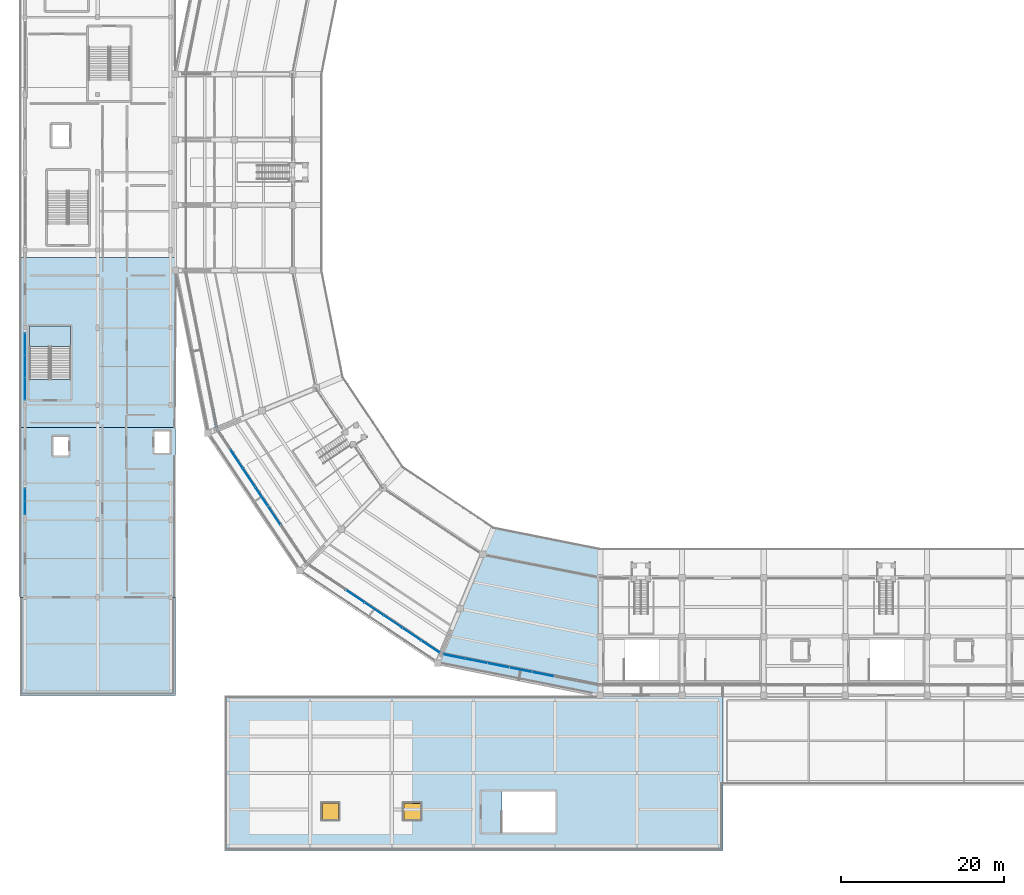
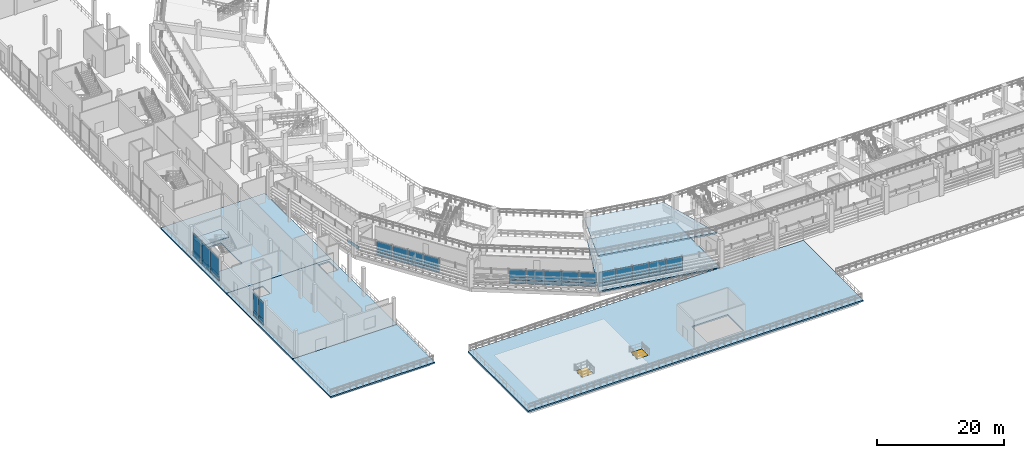
# One storey, part 48 of 96: 39 plates, 7 slabs, 2 windows, 2 openings, 7 elements without a shape of their own.
"""IFC4 building model written with IfcOpenShell, lengths in metres."""

from ifc_helpers import new_model, si_unit, direction, frame, origin, origin_2d, place, context, subcontext, project, spatial, polyline, rectangle, outline, extrude, material, layer, layer_set, type_object, element, fill, aggregate, save


model = new_model("IFC4")

# Units and contexts
model_context = context("Model", 3, precision=1e-05, world=origin(), true_north=direction((0.0, 1.0)))
body_context = subcontext(model_context, "Body", "Model", "MODEL_VIEW")
ifc_project = project(units=[si_unit("LENGTHUNIT", "METRE"), si_unit("AREAUNIT", "SQUARE_METRE"), si_unit("VOLUMEUNIT", "CUBIC_METRE"), si_unit("PLANEANGLEUNIT", "RADIAN"), si_unit("MASSUNIT", "GRAM", prefix="KILO")], contexts=[model_context])

# Site, building, storey
site_placement = place(None, origin())
site = spatial("IfcSite", under=ifc_project, at=site_placement, CompositionType="ELEMENT")
building_placement = place(site_placement, origin())
building = spatial("IfcBuilding", under=site, at=building_placement, Name="Candeia Ridge Stadium", CompositionType="ELEMENT")
storey_placement = place(building_placement, frame((0.0, 0.0, 21.60009765625)))
storey = spatial("IfcBuildingStorey", under=building, at=storey_placement, Name="L04", CompositionType="ELEMENT", Elevation=21.60009765625)

# Slab
ifc_material_1 = material(Name="Concrete C40/50", Category="concrete")
ifc_layer_1 = layer(ifc_material_1, 0.260009765625, Name="Concrete C40/50", Category="concrete")
ifc_layer_set_1 = layer_set([ifc_layer_1], Name="Concrete C40/50")
slab_type_1 = type_object("IfcSlabType", Name="Concourse Structural Slab 260", PredefinedType="FLOOR", material=ifc_layer_set_1)
slab_1_placement = place(storey_placement, frame((0.0, 0.0, -0.260009765625)))
element("IfcSlab", 1, at=slab_1_placement, inside=storey, type_object=slab_type_1, Name="Bowl concourse sector slab L04 bay 18 SLB-L04-0162", PredefinedType="FLOOR", context=body_context, shape_type="SweptSolid", body=[
    extrude(outline(polyline([(70.960693359375, 33.40771484375), (70.960693359375, 19.0078125), (51.1005859375, 22.958251953125), (56.611083984375, 36.26220703125), (70.960693359375, 33.40771484375)])), origin(), (0.0, 0.0, 1.0), 0.260009765625),
])

# Stair, slab
stair_type = type_object("IfcStairType", Name="Enclosed Core Half-Turn Stair 2450", PredefinedType="HALF_TURN_STAIR", material=ifc_material_1)
stair_placement = place(storey_placement, origin())
stair = element("IfcStair", 2, at=stair_placement, inside=storey, type_object=stair_type, Name="L04 Enclosed exit stair ST05", PredefinedType="HALF_TURN_STAIR")
ifc_layer_2 = layer(ifc_material_1, 0.199951171875, Name="Concrete C40/50", Category="concrete")
ifc_layer_set_2 = layer_set([ifc_layer_2], Name="Concrete C40/50")
slab_type_2 = type_object("IfcSlabType", Name="Core Stair Landing Slab 200", PredefinedType="LANDING", material=ifc_layer_set_2)
slab_2_placement = place(storey_placement, frame((0.0, 0.0, 2.5)))
slab_2 = element("IfcSlab", 3, at=slab_2_placement, type_object=slab_type_2, Name="ST05 landing 1", PredefinedType="LANDING", context=body_context, shape_type="SweptSolid", body=[
    extrude(outline(polyline([(6.199951171875, 61.7099609375), (6.199951171875, 64.199951171875), (1.14990234375, 64.199951171875), (1.14990234375, 61.7099609375), (6.199951171875, 61.7099609375)])), origin(), (0.0, 0.0, 1.0), 0.199951171875),
])
aggregate(stair, [slab_2])

# Slabs
ifc_layer_3 = layer(ifc_material_1, 0.25, Name="Concrete C40/50", Category="concrete")
ifc_layer_set_3 = layer_set([ifc_layer_3], Name="Concrete C40/50")
slab_type_3 = type_object("IfcSlabType", Name="Hospitality & Museum Slab 250", PredefinedType="FLOOR", material=ifc_layer_set_3)
slab_3_placement = place(storey_placement, frame((0.0, 0.0, -0.25)))
element("IfcSlab", 4, at=slab_3_placement, inside=storey, type_object=slab_type_3, Name="Wing floor slab west SLB-L04-0298", PredefinedType="FLOOR", context=body_context, shape_type="SweptSolid", body=[
    extrude(outline(polyline([(0.0, 31.0), (0.0, 51.800048828125), (19.0, 51.800048828125), (19.0, 31.0), (0.0, 31.0)]), holes=[polyline([(5.949951171875, 50.64990234375), (4.050048828125, 50.64990234375), (4.050048828125, 48.35009765625), (5.949951171875, 48.35009765625), (5.949951171875, 50.64990234375)]), polyline([(18.35009765625, 48.64990234375), (18.35009765625, 51.35009765625), (16.449951171875, 51.35009765625), (16.449951171875, 48.64990234375), (18.35009765625, 48.64990234375)])]), origin(), (0.0, 0.0, 1.0), 0.25),
])
slab_4_placement = place(storey_placement, frame((0.0, 0.0, -0.25)))
element("IfcSlab", 5, at=slab_4_placement, inside=storey, type_object=slab_type_3, Name="Wing floor slab west SLB-L04-0299", PredefinedType="FLOOR", context=body_context, shape_type="SweptSolid", body=[
    extrude(outline(polyline([(0.0, 51.800048828125), (0.0, 72.60009765625), (19.0, 72.60009765625), (19.0, 51.800048828125), (0.0, 51.800048828125)]), holes=[polyline([(6.199951171875, 57.650634765625), (6.199951171875, 64.199951171875), (1.14990234375, 64.199951171875), (1.14990234375, 57.650634765625), (6.199951171875, 57.650634765625)])]), origin(), (0.0, 0.0, 1.0), 0.25),
])

# Curtain wall, plates
ifc_material_2 = material(Name="Aluminium Anodized Warm Bronze", Category="aluminium")
curtain_wall_type_1 = type_object("IfcCurtainWallType", Name="Concourse Recessed Unitised Curtain Wall", PredefinedType="NOTDEFINED", material=ifc_material_2)
curtain_wall_1_placement = place(storey_placement, origin())
curtain_wall_1 = element("IfcCurtainWall", 6, at=curtain_wall_1_placement, inside=storey, type_object=curtain_wall_type_1, Name="Unitised curtain wall CW-BWL-L04-16", PredefinedType="NOTDEFINED")
ifc_material_3 = material(Name="Aluminium Insulated Spandrel", Category="aluminium")
ifc_layer_4 = layer(ifc_material_3, 0.06494140625, Name="Aluminium Insulated Spandrel", Category="aluminium")
ifc_layer_set_4 = layer_set([ifc_layer_4], Name="Aluminium Insulated Spandrel")
plate_type_1 = type_object("IfcPlateType", Name="Insulated Bronze Spandrel Panel SP1", PredefinedType="CURTAIN_PANEL", material=ifc_layer_set_4)
plate_1_placement = place(storey_placement, frame((41.0078125, 31.117431640625, 0.0400390625), z_axis=(0.0, 0.0, 1.0), x_axis=(0.831468800789, -0.555571447533, 0.0)))
plate_1 = element("IfcPlate", 7, at=plate_1_placement, type_object=plate_type_1, Name="Curtain wall spandrel panel CW-BWL-L04-16-SP2", PredefinedType="CURTAIN_PANEL", context=body_context, shape_type="SweptSolid", body=[
    extrude(rectangle(XDim=2.710205078125, YDim=0.06494140625, at=origin_2d()), origin(), (0.0, 0.0, 1.0), 0.613037109375),
])
plate_2_placement = place(storey_placement, frame((43.3193359375, 29.572998046875, 0.0400390625), z_axis=(0.0, 0.0, 1.0), x_axis=(0.831468800789, -0.555571447533, 0.0)))
plate_2 = element("IfcPlate", 8, at=plate_2_placement, type_object=plate_type_1, Name="Curtain wall spandrel panel CW-BWL-L04-16-SP3", PredefinedType="CURTAIN_PANEL", context=body_context, shape_type="SweptSolid", body=[
    extrude(rectangle(XDim=2.710205078125, YDim=0.06494140625, at=origin_2d()), origin(), (0.0, 0.0, 1.0), 0.613037109375),
])
plate_3_placement = place(storey_placement, frame((45.630859375, 28.0283203125, 0.0400390625), z_axis=(0.0, 0.0, 1.0), x_axis=(0.831468800789, -0.555571447533, 0.0)))
plate_3 = element("IfcPlate", 9, at=plate_3_placement, type_object=plate_type_1, Name="Curtain wall spandrel panel CW-BWL-L04-16-SP4", PredefinedType="CURTAIN_PANEL", context=body_context, shape_type="SweptSolid", body=[
    extrude(rectangle(XDim=2.710205078125, YDim=0.06494140625, at=origin_2d()), origin(), (0.0, 0.0, 1.0), 0.613037109375),
])
plate_4_placement = place(storey_placement, frame((47.942626953125, 26.48388671875, 0.0400390625), z_axis=(0.0, 0.0, 1.0), x_axis=(0.831468800789, -0.555571447533, 0.0)))
plate_4 = element("IfcPlate", 10, at=plate_4_placement, type_object=plate_type_1, Name="Curtain wall spandrel panel CW-BWL-L04-16-SP5", PredefinedType="CURTAIN_PANEL", context=body_context, shape_type="SweptSolid", body=[
    extrude(rectangle(XDim=2.710205078125, YDim=0.06494140625, at=origin_2d()), origin(), (0.0, 0.0, 1.0), 0.613037109375),
])
plate_5_placement = place(storey_placement, frame((50.254150390625, 24.939208984375, 0.0400390625), z_axis=(0.0, 0.0, 1.0), x_axis=(0.831468800789, -0.555571447533, 0.0)))
plate_5 = element("IfcPlate", 11, at=plate_5_placement, type_object=plate_type_1, Name="Curtain wall spandrel panel CW-BWL-L04-16-SP6", PredefinedType="CURTAIN_PANEL", context=body_context, shape_type="SweptSolid", body=[
    extrude(rectangle(XDim=2.710205078125, YDim=0.06494140625, at=origin_2d()), origin(), (0.0, 0.0, 1.0), 0.613037109375),
])

curtain_wall_2_placement = place(storey_placement, origin())
curtain_wall_2 = element("IfcCurtainWall", 12, at=curtain_wall_2_placement, inside=storey, type_object=curtain_wall_type_1, Name="Unitised curtain wall CW-BWL-L04-17", PredefinedType="NOTDEFINED")
ifc_layer_5 = layer(ifc_material_3, 0.06494140625, Name="Aluminium Insulated Spandrel", Category="aluminium")
ifc_layer_set_5 = layer_set([ifc_layer_5], Name="Aluminium Insulated Spandrel")
plate_type_2 = type_object("IfcPlateType", Name="Insulated Bronze Spandrel Panel SP2", PredefinedType="CURTAIN_PANEL", material=ifc_layer_set_5)
plate_6_placement = place(storey_placement, frame((53.099609375, 23.760498046875, 0.0400390625), z_axis=(0.0, 0.0, 1.0), x_axis=(0.980785280696, -0.195090320544, 0.0)))
plate_6 = element("IfcPlate", 13, at=plate_6_placement, type_object=plate_type_2, Name="Curtain wall spandrel panel CW-BWL-L04-17-SP0", PredefinedType="CURTAIN_PANEL", context=body_context, shape_type="SweptSolid", body=[
    extrude(rectangle(XDim=2.710205078125, YDim=0.06494140625, at=origin_2d()), origin(), (0.0, 0.0, 1.0), 0.613037109375),
])
plate_7_placement = place(storey_placement, frame((55.826416015625, 23.21826171875, 0.0400390625), z_axis=(0.0, 0.0, 1.0), x_axis=(0.980785280696, -0.195090320544, 0.0)))
plate_7 = element("IfcPlate", 14, at=plate_7_placement, type_object=plate_type_2, Name="Curtain wall spandrel panel CW-BWL-L04-17-SP1", PredefinedType="CURTAIN_PANEL", context=body_context, shape_type="SweptSolid", body=[
    extrude(rectangle(XDim=2.710205078125, YDim=0.06494140625, at=origin_2d()), origin(), (0.0, 0.0, 1.0), 0.613037109375),
])
plate_8_placement = place(storey_placement, frame((58.552978515625, 22.67578125, 0.0400390625), z_axis=(0.0, 0.0, 1.0), x_axis=(0.980785280696, -0.195090320544, 0.0)))
plate_8 = element("IfcPlate", 15, at=plate_8_placement, type_object=plate_type_2, Name="Curtain wall spandrel panel CW-BWL-L04-17-SP2", PredefinedType="CURTAIN_PANEL", context=body_context, shape_type="SweptSolid", body=[
    extrude(rectangle(XDim=2.710205078125, YDim=0.06494140625, at=origin_2d()), origin(), (0.0, 0.0, 1.0), 0.613037109375),
])
plate_9_placement = place(storey_placement, frame((61.27978515625, 22.13330078125, 0.0400390625), z_axis=(0.0, 0.0, 1.0), x_axis=(0.980785280696, -0.195090320544, 0.0)))
plate_9 = element("IfcPlate", 16, at=plate_9_placement, type_object=plate_type_2, Name="Curtain wall spandrel panel CW-BWL-L04-17-SP3", PredefinedType="CURTAIN_PANEL", context=body_context, shape_type="SweptSolid", body=[
    extrude(rectangle(XDim=2.710205078125, YDim=0.06494140625, at=origin_2d()), origin(), (0.0, 0.0, 1.0), 0.613037109375),
])
plate_10_placement = place(storey_placement, frame((64.006591796875, 21.591064453125, 0.0400390625), z_axis=(0.0, 0.0, 1.0), x_axis=(0.980785280696, -0.195090320544, 0.0)))
plate_10 = element("IfcPlate", 17, at=plate_10_placement, type_object=plate_type_2, Name="Curtain wall spandrel panel CW-BWL-L04-17-SP4", PredefinedType="CURTAIN_PANEL", context=body_context, shape_type="SweptSolid", body=[
    extrude(rectangle(XDim=2.710205078125, YDim=0.06494140625, at=origin_2d()), origin(), (0.0, 0.0, 1.0), 0.613037109375),
])

# Curtain wall, plate
curtain_wall_3_placement = place(storey_placement, origin())
curtain_wall_3 = element("IfcCurtainWall", 18, at=curtain_wall_3_placement, inside=storey, type_object=curtain_wall_type_1, Name="Unitised curtain wall CW-BWL-L04-14", PredefinedType="NOTDEFINED")
ifc_layer_6 = layer(ifc_material_3, 0.06494140625, Name="Aluminium Insulated Spandrel", Category="aluminium")
ifc_layer_set_6 = layer_set([ifc_layer_6], Name="Aluminium Insulated Spandrel")
plate_type_3 = type_object("IfcPlateType", Name="Insulated Bronze Spandrel Panel SP4", PredefinedType="CURTAIN_PANEL", material=ifc_layer_set_6)
plate_11_placement = place(storey_placement, frame((23.760498046875, 53.099609375, 0.0400390625), z_axis=(0.0, 0.0, 1.0), x_axis=(0.195090320544, -0.980785280696, 0.0)))
plate_11 = element("IfcPlate", 19, at=plate_11_placement, type_object=plate_type_3, Name="Curtain wall spandrel panel CW-BWL-L04-14-SP6", PredefinedType="CURTAIN_PANEL", context=body_context, shape_type="SweptSolid", body=[
    extrude(rectangle(XDim=2.710205078125, YDim=0.06494140625, at=origin_2d()), origin(), (0.0, 0.0, 1.0), 0.613037109375),
])
aggregate(curtain_wall_3, [plate_11])

# Curtain wall, plates
curtain_wall_4_placement = place(storey_placement, origin())
curtain_wall_4 = element("IfcCurtainWall", 20, at=curtain_wall_4_placement, inside=storey, type_object=curtain_wall_type_1, Name="Unitised curtain wall CW-BWL-L04-15", PredefinedType="NOTDEFINED")
ifc_layer_7 = layer(ifc_material_3, 0.06494140625, Name="Aluminium Insulated Spandrel", Category="aluminium")
ifc_layer_set_7 = layer_set([ifc_layer_7], Name="Aluminium Insulated Spandrel")
plate_type_4 = type_object("IfcPlateType", Name="Insulated Bronze Spandrel Panel SP5", PredefinedType="CURTAIN_PANEL", material=ifc_layer_set_7)
plate_12_placement = place(storey_placement, frame((26.48388671875, 47.942626953125, 0.0400390625), z_axis=(0.0, 0.0, 1.0), x_axis=(0.555571447533, -0.831468800789, 0.0)))
plate_12 = element("IfcPlate", 21, at=plate_12_placement, type_object=plate_type_4, Name="Curtain wall spandrel panel CW-BWL-L04-15-SP1", PredefinedType="CURTAIN_PANEL", context=body_context, shape_type="SweptSolid", body=[
    extrude(rectangle(XDim=2.710205078125, YDim=0.06494140625, at=origin_2d()), origin(), (0.0, 0.0, 1.0), 0.613037109375),
])
plate_13_placement = place(storey_placement, frame((28.0283203125, 45.630859375, 0.0400390625), z_axis=(0.0, 0.0, 1.0), x_axis=(0.555571447533, -0.831468800789, 0.0)))
plate_13 = element("IfcPlate", 22, at=plate_13_placement, type_object=plate_type_4, Name="Curtain wall spandrel panel CW-BWL-L04-15-SP2", PredefinedType="CURTAIN_PANEL", context=body_context, shape_type="SweptSolid", body=[
    extrude(rectangle(XDim=2.710205078125, YDim=0.06494140625, at=origin_2d()), origin(), (0.0, 0.0, 1.0), 0.613037109375),
])
plate_14_placement = place(storey_placement, frame((29.572998046875, 43.3193359375, 0.0400390625), z_axis=(0.0, 0.0, 1.0), x_axis=(0.555571447533, -0.831468800789, 0.0)))
plate_14 = element("IfcPlate", 23, at=plate_14_placement, type_object=plate_type_4, Name="Curtain wall spandrel panel CW-BWL-L04-15-SP3", PredefinedType="CURTAIN_PANEL", context=body_context, shape_type="SweptSolid", body=[
    extrude(rectangle(XDim=2.710205078125, YDim=0.06494140625, at=origin_2d()), origin(), (0.0, 0.0, 1.0), 0.613037109375),
])
plate_15_placement = place(storey_placement, frame((31.117431640625, 41.0078125, 0.0400390625), z_axis=(0.0, 0.0, 1.0), x_axis=(0.555571447533, -0.831468800789, 0.0)))
plate_15 = element("IfcPlate", 24, at=plate_15_placement, type_object=plate_type_4, Name="Curtain wall spandrel panel CW-BWL-L04-15-SP4", PredefinedType="CURTAIN_PANEL", context=body_context, shape_type="SweptSolid", body=[
    extrude(rectangle(XDim=2.710205078125, YDim=0.06494140625, at=origin_2d()), origin(), (0.0, 0.0, 1.0), 0.613037109375),
])

curtain_wall_type_2 = type_object("IfcCurtainWallType", Name="West Pavilion Hospitality Curtain Wall", PredefinedType="NOTDEFINED", material=ifc_material_2)
curtain_wall_5_placement = place(storey_placement, origin())
curtain_wall_5 = element("IfcCurtainWall", 25, at=curtain_wall_5_placement, inside=storey, type_object=curtain_wall_type_2, Name="Unitised curtain wall CW-WNG-L04-093", PredefinedType="NOTDEFINED")
ifc_layer_8 = layer(ifc_material_3, 0.06494140625, Name="Aluminium Insulated Spandrel", Category="aluminium")
ifc_layer_set_8 = layer_set([ifc_layer_8], Name="Aluminium Insulated Spandrel")
plate_type_5 = type_object("IfcPlateType", Name="Insulated Cedar-Tone Spandrel Panel SP3", PredefinedType="CURTAIN_PANEL", material=ifc_layer_set_8)
plate_16_placement = place(storey_placement, frame((0.60009765625, 41.955078125, 0.039794921875), z_axis=(0.0, 0.0, 1.0), x_axis=(0.0, 1.0, 0.0)))
plate_16 = element("IfcPlate", 26, at=plate_16_placement, type_object=plate_type_5, Name="Curtain wall spandrel panel CW-WNG-L04-093-SP0", PredefinedType="CURTAIN_PANEL", context=body_context, shape_type="SweptSolid", body=[
    extrude(rectangle(XDim=1.52001953125, YDim=0.06494140625, at=origin_2d()), origin(), (0.0, 0.0, 1.0), 1.02001953125),
])
plate_17_placement = place(storey_placement, frame((0.60009765625, 43.544921875, 0.039794921875), z_axis=(0.0, 0.0, 1.0), x_axis=(0.0, 1.0, 0.0)))
plate_17 = element("IfcPlate", 27, at=plate_17_placement, type_object=plate_type_5, Name="Curtain wall spandrel panel CW-WNG-L04-093-SP1", PredefinedType="CURTAIN_PANEL", context=body_context, shape_type="SweptSolid", body=[
    extrude(rectangle(XDim=1.52001953125, YDim=0.06494140625, at=origin_2d()), origin(), (0.0, 0.0, 1.0), 1.02001953125),
])

curtain_wall_6_placement = place(storey_placement, origin())
curtain_wall_6 = element("IfcCurtainWall", 28, at=curtain_wall_6_placement, inside=storey, type_object=curtain_wall_type_2, Name="Unitised curtain wall CW-WNG-L04-094", PredefinedType="NOTDEFINED")
plate_18_placement = place(storey_placement, frame((0.60009765625, 56.523193359375, 0.039794921875), z_axis=(0.0, 0.0, 1.0), x_axis=(0.0, 1.0, 0.0)))
plate_18 = element("IfcPlate", 29, at=plate_18_placement, type_object=plate_type_5, Name="Curtain wall spandrel panel CW-WNG-L04-094-SP0", PredefinedType="CURTAIN_PANEL", context=body_context, shape_type="SweptSolid", body=[
    extrude(rectangle(XDim=2.65673828125, YDim=0.06494140625, at=origin_2d()), origin(), (0.0, 0.0, 1.0), 1.02001953125),
])
plate_19_placement = place(storey_placement, frame((0.60009765625, 59.25, 0.039794921875), z_axis=(0.0, 0.0, 1.0), x_axis=(0.0, 1.0, 0.0)))
plate_19 = element("IfcPlate", 30, at=plate_19_placement, type_object=plate_type_5, Name="Curtain wall spandrel panel CW-WNG-L04-094-SP1", PredefinedType="CURTAIN_PANEL", context=body_context, shape_type="SweptSolid", body=[
    extrude(rectangle(XDim=2.65673828125, YDim=0.06494140625, at=origin_2d()), origin(), (0.0, 0.0, 1.0), 1.02001953125),
])
plate_20_placement = place(storey_placement, frame((0.60009765625, 61.976806640625, 0.039794921875), z_axis=(0.0, 0.0, 1.0), x_axis=(0.0, 1.0, 0.0)))
plate_20 = element("IfcPlate", 31, at=plate_20_placement, type_object=plate_type_5, Name="Curtain wall spandrel panel CW-WNG-L04-094-SP2", PredefinedType="CURTAIN_PANEL", context=body_context, shape_type="SweptSolid", body=[
    extrude(rectangle(XDim=2.65673828125, YDim=0.06494140625, at=origin_2d()), origin(), (0.0, 0.0, 1.0), 1.02001953125),
])

# Plate
ifc_material_4 = material(Name="Tempered Low-E Double Glazing", Category="glass")
ifc_layer_9 = layer(ifc_material_4, 0.035888671875, Name="Tempered Low-E Double Glazing", Category="glass")
ifc_layer_set_9 = layer_set([ifc_layer_9], Name="Tempered Low-E Double Glazing")
plate_type_6 = type_object("IfcPlateType", Name="Pavilion Panorama Glass Panel GP4", PredefinedType="CURTAIN_PANEL", material=ifc_layer_set_9)
plate_21_placement = place(storey_placement, frame((0.60009765625, 41.955078125, 1.14013671875), z_axis=(0.0, 0.0, 1.0), x_axis=(0.0, 1.0, 0.0)))
plate_21 = element("IfcPlate", 32, at=plate_21_placement, type_object=plate_type_6, Name="Curtain wall vision glass panel CW-WNG-L04-093-GP0", PredefinedType="CURTAIN_PANEL", context=body_context, shape_type="SweptSolid", body=[
    extrude(rectangle(XDim=1.52001953125, YDim=0.035888671875, at=origin_2d()), origin(), (0.0, 0.0, 1.0), 3.284912109375),
])

plate_22_placement = place(storey_placement, frame((0.60009765625, 43.544921875, 1.14013671875), z_axis=(0.0, 0.0, 1.0), x_axis=(0.0, 1.0, 0.0)))
plate_22 = element("IfcPlate", 33, at=plate_22_placement, type_object=plate_type_6, Name="Curtain wall vision glass panel CW-WNG-L04-093-GP1", PredefinedType="CURTAIN_PANEL", context=body_context, shape_type="SweptSolid", body=[
    extrude(rectangle(XDim=1.52001953125, YDim=0.035888671875, at=origin_2d()), origin(), (0.0, 0.0, 1.0), 3.284912109375),
])

aggregate(curtain_wall_5, [plate_16, plate_21, plate_17, plate_22])

plate_23_placement = place(storey_placement, frame((0.60009765625, 56.523193359375, 1.14013671875), z_axis=(0.0, 0.0, 1.0), x_axis=(0.0, 1.0, 0.0)))
plate_23 = element("IfcPlate", 34, at=plate_23_placement, type_object=plate_type_6, Name="Curtain wall vision glass panel CW-WNG-L04-094-GP0", PredefinedType="CURTAIN_PANEL", context=body_context, shape_type="SweptSolid", body=[
    extrude(rectangle(XDim=2.65673828125, YDim=0.035888671875, at=origin_2d()), origin(), (0.0, 0.0, 1.0), 3.304931640625),
])

plate_24_placement = place(storey_placement, frame((0.60009765625, 59.25, 1.14013671875), z_axis=(0.0, 0.0, 1.0), x_axis=(0.0, 1.0, 0.0)))
plate_24 = element("IfcPlate", 35, at=plate_24_placement, type_object=plate_type_6, Name="Curtain wall vision glass panel CW-WNG-L04-094-GP1", PredefinedType="CURTAIN_PANEL", context=body_context, shape_type="SweptSolid", body=[
    extrude(rectangle(XDim=2.65673828125, YDim=0.035888671875, at=origin_2d()), origin(), (0.0, 0.0, 1.0), 3.304931640625),
])

plate_25_placement = place(storey_placement, frame((0.60009765625, 61.976806640625, 1.14013671875), z_axis=(0.0, 0.0, 1.0), x_axis=(0.0, 1.0, 0.0)))
plate_25 = element("IfcPlate", 36, at=plate_25_placement, type_object=plate_type_6, Name="Curtain wall vision glass panel CW-WNG-L04-094-GP2", PredefinedType="CURTAIN_PANEL", context=body_context, shape_type="SweptSolid", body=[
    extrude(rectangle(XDim=2.65673828125, YDim=0.035888671875, at=origin_2d()), origin(), (0.0, 0.0, 1.0), 3.304931640625),
])

aggregate(curtain_wall_6, [plate_18, plate_23, plate_19, plate_24, plate_20, plate_25])

# Slab
ifc_layer_10 = layer(ifc_material_1, 0.27001953125, Name="Concrete C40/50", Category="concrete")
ifc_layer_set_10 = layer_set([ifc_layer_10], Name="Concrete C40/50")
slab_type_4 = type_object("IfcSlabType", Name="Planted Podium Terrace Deck 270", PredefinedType="ROOF", material=ifc_layer_set_10)
slab_5_placement = place(storey_placement, frame((0.0, 0.0, -0.27001953125)))
element("IfcSlab", 37, at=slab_5_placement, inside=storey, type_object=slab_type_4, Name="Planted roof garden slab SLB-L04-0307", PredefinedType="ROOF", context=body_context, shape_type="SweptSolid", body=[
    extrude(outline(polyline([(0.0, 19.0), (0.0, 31.0), (19.0, 31.0), (19.0, 19.0), (0.0, 19.0)])), origin(), (0.0, 0.0, 1.0), 0.27001953125),
])

# Slab, openings, windows
ifc_layer_11 = layer(ifc_material_1, 0.280029296875, Name="Concrete C40/50", Category="concrete")
ifc_layer_set_11 = layer_set([ifc_layer_11], Name="Concrete C40/50")
slab_type_5 = type_object("IfcSlabType", Name="Planted Roof Garden Deck 280", PredefinedType="ROOF", material=ifc_layer_set_11)
slab_6_placement = place(storey_placement, frame((0.0, 0.0, -0.280029296875)))
slab_6 = element("IfcSlab", 38, at=slab_6_placement, inside=storey, type_object=slab_type_5, Name="Planted roof garden slab SLB-L04-0303", PredefinedType="ROOF", context=body_context, shape_type="SweptSolid", body=[
    extrude(outline(polyline([(25.0, 0.0), (25.0, 19.0), (86.0, 19.0), (86.0, 0.0), (25.0, 0.0)]), holes=[polyline([(65.5, 2.199951171875), (65.5, 7.25), (58.95068359375, 7.25), (58.95068359375, 2.199951171875), (65.5, 2.199951171875)])]), origin(), (0.0, 0.0, 1.0), 0.280029296875),
])
opening_1_placement = place(slab_6_placement, frame((48.0, 4.800048828125, -0.010009765625)))
opening_1 = element("IfcOpeningElement", 39, at=opening_1_placement, cuts=slab_6, Name="Opening SK2", PredefinedType="OPENING", context=body_context, shape_type="SweptSolid", body=[
    extrude(rectangle(XDim=2.0, YDim=2.0, at=origin_2d()), origin(), (0.0, 0.0, 1.0), 0.300048828125),
])
opening_2_placement = place(slab_6_placement, frame((38.0, 4.800048828125, -0.010009765625)))
opening_2 = element("IfcOpeningElement", 40, at=opening_2_placement, cuts=slab_6, Name="Opening SK2", PredefinedType="OPENING", context=body_context, shape_type="SweptSolid", body=[
    extrude(rectangle(XDim=2.0, YDim=2.0, at=origin_2d()), origin(), (0.0, 0.0, 1.0), 0.300048828125),
])
ifc_material_5 = material(Name="Tempered Solar-Control Double Glazing", Category="glass")
window_type = type_object("IfcWindowType", Name="Museum Gallery Roof Skylight 2000x2000", PartitioningType="SINGLE_PANEL", PredefinedType="SKYLIGHT", material=ifc_material_5)
window_1_placement = place(slab_6_placement, frame((48.0, 4.800048828125, 0.22998046875)))
window_1 = element("IfcWindow", 41, at=window_1_placement, inside=storey, type_object=window_type, Name="Roof daylight skylight SKY-04", OverallHeight=2.0, OverallWidth=2.0, PartitioningType="SINGLE_PANEL", PredefinedType="SKYLIGHT", context=body_context, shape_type="SweptSolid", body=[
    extrude(rectangle(XDim=2.0, YDim=2.0, at=origin_2d()), origin(), (0.0, 0.0, 1.0), 0.050048828125),
])
fill(opening_1, window_1)
window_2_placement = place(slab_6_placement, frame((38.0, 4.800048828125, 0.22998046875)))
window_2 = element("IfcWindow", 42, at=window_2_placement, inside=storey, type_object=window_type, Name="Roof daylight skylight SKY-05", OverallHeight=2.0, OverallWidth=2.0, PartitioningType="SINGLE_PANEL", PredefinedType="SKYLIGHT", context=body_context, shape_type="SweptSolid", body=[
    extrude(rectangle(XDim=2.0, YDim=2.0, at=origin_2d()), origin(), (0.0, 0.0, 1.0), 0.050048828125),
])
fill(opening_2, window_2)

# Plate
ifc_layer_12 = layer(ifc_material_4, 0.035888671875, Name="Tempered Low-E Double Glazing", Category="glass")
ifc_layer_set_12 = layer_set([ifc_layer_12], Name="Tempered Low-E Double Glazing")
plate_type_7 = type_object("IfcPlateType", Name="Solar Control Vision Glass Panel GP2", PredefinedType="CURTAIN_PANEL", material=ifc_layer_set_12)
plate_26_placement = place(storey_placement, frame((26.48388671875, 47.942626953125, 0.733154296875), z_axis=(0.0, 0.0, 1.0), x_axis=(0.555571447533, -0.831468800789, 0.0)))
plate_26 = element("IfcPlate", 43, at=plate_26_placement, type_object=plate_type_7, Name="Curtain wall vision glass panel CW-BWL-L04-15-GP1", PredefinedType="CURTAIN_PANEL", context=body_context, shape_type="SweptSolid", body=[
    extrude(rectangle(XDim=2.710205078125, YDim=0.035888671875, at=origin_2d()), origin(), (0.0, 0.0, 1.0), 1.9990234375),
])

plate_27_placement = place(storey_placement, frame((28.0283203125, 45.630859375, 0.733154296875), z_axis=(0.0, 0.0, 1.0), x_axis=(0.555571447533, -0.831468800789, 0.0)))
plate_27 = element("IfcPlate", 44, at=plate_27_placement, type_object=plate_type_7, Name="Curtain wall vision glass panel CW-BWL-L04-15-GP2", PredefinedType="CURTAIN_PANEL", context=body_context, shape_type="SweptSolid", body=[
    extrude(rectangle(XDim=2.710205078125, YDim=0.035888671875, at=origin_2d()), origin(), (0.0, 0.0, 1.0), 1.9990234375),
])

plate_28_placement = place(storey_placement, frame((29.572998046875, 43.3193359375, 0.733154296875), z_axis=(0.0, 0.0, 1.0), x_axis=(0.555571447533, -0.831468800789, 0.0)))
plate_28 = element("IfcPlate", 45, at=plate_28_placement, type_object=plate_type_7, Name="Curtain wall vision glass panel CW-BWL-L04-15-GP3", PredefinedType="CURTAIN_PANEL", context=body_context, shape_type="SweptSolid", body=[
    extrude(rectangle(XDim=2.710205078125, YDim=0.035888671875, at=origin_2d()), origin(), (0.0, 0.0, 1.0), 1.9990234375),
])

plate_29_placement = place(storey_placement, frame((31.117431640625, 41.0078125, 0.733154296875), z_axis=(0.0, 0.0, 1.0), x_axis=(0.555571447533, -0.831468800789, 0.0)))
plate_29 = element("IfcPlate", 46, at=plate_29_placement, type_object=plate_type_7, Name="Curtain wall vision glass panel CW-BWL-L04-15-GP4", PredefinedType="CURTAIN_PANEL", context=body_context, shape_type="SweptSolid", body=[
    extrude(rectangle(XDim=2.710205078125, YDim=0.035888671875, at=origin_2d()), origin(), (0.0, 0.0, 1.0), 1.9990234375),
])

aggregate(curtain_wall_4, [plate_12, plate_26, plate_13, plate_27, plate_14, plate_28, plate_15, plate_29])

ifc_layer_13 = layer(ifc_material_4, 0.035888671875, Name="Tempered Low-E Double Glazing", Category="glass")
ifc_layer_set_13 = layer_set([ifc_layer_13], Name="Tempered Low-E Double Glazing")
plate_type_8 = type_object("IfcPlateType", Name="Solar Control Vision Glass Panel GP5", PredefinedType="CURTAIN_PANEL", material=ifc_layer_set_13)
plate_30_placement = place(storey_placement, frame((41.0078125, 31.117431640625, 0.733154296875), z_axis=(0.0, 0.0, 1.0), x_axis=(0.831468800789, -0.555571447533, 0.0)))
plate_30 = element("IfcPlate", 47, at=plate_30_placement, type_object=plate_type_8, Name="Curtain wall vision glass panel CW-BWL-L04-16-GP2", PredefinedType="CURTAIN_PANEL", context=body_context, shape_type="SweptSolid", body=[
    extrude(rectangle(XDim=2.710205078125, YDim=0.035888671875, at=origin_2d()), origin(), (0.0, 0.0, 1.0), 1.9990234375),
])

plate_31_placement = place(storey_placement, frame((43.3193359375, 29.572998046875, 0.733154296875), z_axis=(0.0, 0.0, 1.0), x_axis=(0.831468800789, -0.555571447533, 0.0)))
plate_31 = element("IfcPlate", 48, at=plate_31_placement, type_object=plate_type_8, Name="Curtain wall vision glass panel CW-BWL-L04-16-GP3", PredefinedType="CURTAIN_PANEL", context=body_context, shape_type="SweptSolid", body=[
    extrude(rectangle(XDim=2.710205078125, YDim=0.035888671875, at=origin_2d()), origin(), (0.0, 0.0, 1.0), 1.9990234375),
])

plate_32_placement = place(storey_placement, frame((45.630859375, 28.0283203125, 0.733154296875), z_axis=(0.0, 0.0, 1.0), x_axis=(0.831468800789, -0.555571447533, 0.0)))
plate_32 = element("IfcPlate", 49, at=plate_32_placement, type_object=plate_type_8, Name="Curtain wall vision glass panel CW-BWL-L04-16-GP4", PredefinedType="CURTAIN_PANEL", context=body_context, shape_type="SweptSolid", body=[
    extrude(rectangle(XDim=2.710205078125, YDim=0.035888671875, at=origin_2d()), origin(), (0.0, 0.0, 1.0), 1.9990234375),
])

plate_33_placement = place(storey_placement, frame((47.942626953125, 26.48388671875, 0.733154296875), z_axis=(0.0, 0.0, 1.0), x_axis=(0.831468800789, -0.555571447533, 0.0)))
plate_33 = element("IfcPlate", 50, at=plate_33_placement, type_object=plate_type_8, Name="Curtain wall vision glass panel CW-BWL-L04-16-GP5", PredefinedType="CURTAIN_PANEL", context=body_context, shape_type="SweptSolid", body=[
    extrude(rectangle(XDim=2.710205078125, YDim=0.035888671875, at=origin_2d()), origin(), (0.0, 0.0, 1.0), 1.9990234375),
])

plate_34_placement = place(storey_placement, frame((50.254150390625, 24.939208984375, 0.733154296875), z_axis=(0.0, 0.0, 1.0), x_axis=(0.831468800789, -0.555571447533, 0.0)))
plate_34 = element("IfcPlate", 51, at=plate_34_placement, type_object=plate_type_8, Name="Curtain wall vision glass panel CW-BWL-L04-16-GP6", PredefinedType="CURTAIN_PANEL", context=body_context, shape_type="SweptSolid", body=[
    extrude(rectangle(XDim=2.710205078125, YDim=0.035888671875, at=origin_2d()), origin(), (0.0, 0.0, 1.0), 1.9990234375),
])

aggregate(curtain_wall_1, [plate_1, plate_30, plate_2, plate_31, plate_3, plate_32, plate_4, plate_33, plate_5, plate_34])

ifc_layer_14 = layer(ifc_material_4, 0.035888671875, Name="Tempered Low-E Double Glazing", Category="glass")
ifc_layer_set_14 = layer_set([ifc_layer_14], Name="Tempered Low-E Double Glazing")
plate_type_9 = type_object("IfcPlateType", Name="Solar Control Vision Glass Panel GP6", PredefinedType="CURTAIN_PANEL", material=ifc_layer_set_14)
plate_35_placement = place(storey_placement, frame((53.099609375, 23.760498046875, 0.733154296875), z_axis=(0.0, 0.0, 1.0), x_axis=(0.980785280696, -0.195090320544, 0.0)))
plate_35 = element("IfcPlate", 52, at=plate_35_placement, type_object=plate_type_9, Name="Curtain wall vision glass panel CW-BWL-L04-17-GP0", PredefinedType="CURTAIN_PANEL", context=body_context, shape_type="SweptSolid", body=[
    extrude(rectangle(XDim=2.710205078125, YDim=0.035888671875, at=origin_2d()), origin(), (0.0, 0.0, 1.0), 1.9990234375),
])

plate_36_placement = place(storey_placement, frame((55.826416015625, 23.21826171875, 0.733154296875), z_axis=(0.0, 0.0, 1.0), x_axis=(0.980785280696, -0.195090320544, 0.0)))
plate_36 = element("IfcPlate", 53, at=plate_36_placement, type_object=plate_type_9, Name="Curtain wall vision glass panel CW-BWL-L04-17-GP1", PredefinedType="CURTAIN_PANEL", context=body_context, shape_type="SweptSolid", body=[
    extrude(rectangle(XDim=2.710205078125, YDim=0.035888671875, at=origin_2d()), origin(), (0.0, 0.0, 1.0), 1.9990234375),
])

plate_37_placement = place(storey_placement, frame((58.552978515625, 22.67578125, 0.733154296875), z_axis=(0.0, 0.0, 1.0), x_axis=(0.980785280696, -0.195090320544, 0.0)))
plate_37 = element("IfcPlate", 54, at=plate_37_placement, type_object=plate_type_9, Name="Curtain wall vision glass panel CW-BWL-L04-17-GP2", PredefinedType="CURTAIN_PANEL", context=body_context, shape_type="SweptSolid", body=[
    extrude(rectangle(XDim=2.710205078125, YDim=0.035888671875, at=origin_2d()), origin(), (0.0, 0.0, 1.0), 1.9990234375),
])

plate_38_placement = place(storey_placement, frame((61.27978515625, 22.13330078125, 0.733154296875), z_axis=(0.0, 0.0, 1.0), x_axis=(0.980785280696, -0.195090320544, 0.0)))
plate_38 = element("IfcPlate", 55, at=plate_38_placement, type_object=plate_type_9, Name="Curtain wall vision glass panel CW-BWL-L04-17-GP3", PredefinedType="CURTAIN_PANEL", context=body_context, shape_type="SweptSolid", body=[
    extrude(rectangle(XDim=2.710205078125, YDim=0.035888671875, at=origin_2d()), origin(), (0.0, 0.0, 1.0), 1.9990234375),
])

plate_39_placement = place(storey_placement, frame((64.006591796875, 21.591064453125, 0.733154296875), z_axis=(0.0, 0.0, 1.0), x_axis=(0.980785280696, -0.195090320544, 0.0)))
plate_39 = element("IfcPlate", 56, at=plate_39_placement, type_object=plate_type_9, Name="Curtain wall vision glass panel CW-BWL-L04-17-GP4", PredefinedType="CURTAIN_PANEL", context=body_context, shape_type="SweptSolid", body=[
    extrude(rectangle(XDim=2.710205078125, YDim=0.035888671875, at=origin_2d()), origin(), (0.0, 0.0, 1.0), 1.9990234375),
])

aggregate(curtain_wall_2, [plate_6, plate_35, plate_7, plate_36, plate_8, plate_37, plate_9, plate_38, plate_10, plate_39])

# Slab
ifc_material_6 = material(Name="Precast concrete C45/55", Category="concrete")
ifc_layer_15 = layer(ifc_material_6, 0.239990234375, Name="Precast concrete C45/55", Category="concrete")
ifc_layer_set_15 = layer_set([ifc_layer_15], Name="Precast concrete C45/55")
slab_type_6 = type_object("IfcSlabType", Name="Upper Cantilever Tier Precast 240", PredefinedType="USERDEFINED", material=ifc_layer_set_15)
slab_7_placement = place(storey_placement, frame((57.989013671875, 39.587890625, 1.64990234375), z_axis=(0.049798786666, 0.2503576128, 0.966871835643), x_axis=(0.980787398066, -0.195079675491, -2.420734e-06)))
element("IfcSlab", 57, at=slab_7_placement, inside=storey, type_object=slab_type_6, Name="Stand Upper Tier Stands Bay 18", ObjectType="SEATING TIER", PredefinedType="USERDEFINED", context=body_context, shape_type="SweptSolid", body=[
    extrude(outline(polyline([(0.0, 0.0), (13.265856290361187, 4.440892098500626e-16), (16.54319383355014, -17.04183232147286), (-3.2776177725242213, -17.04151855011149), (0.0, 0.0)])), origin(), (0.0, 0.0, -1.0), 0.239990234375),
])

save(model, "model.ifc")
